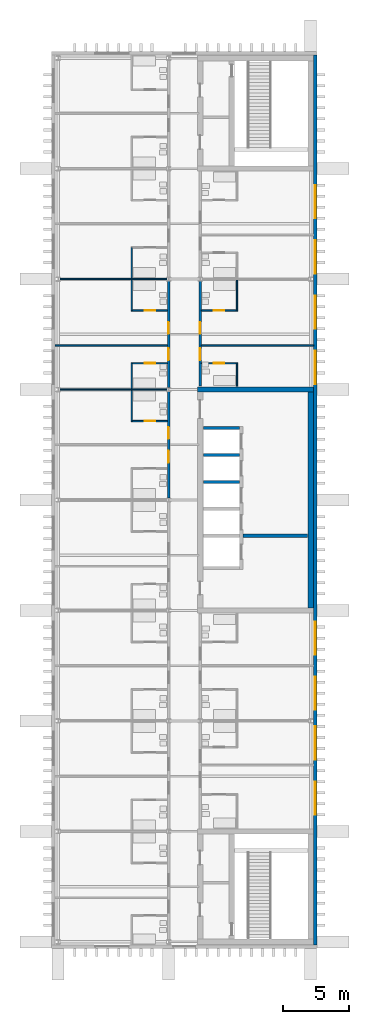
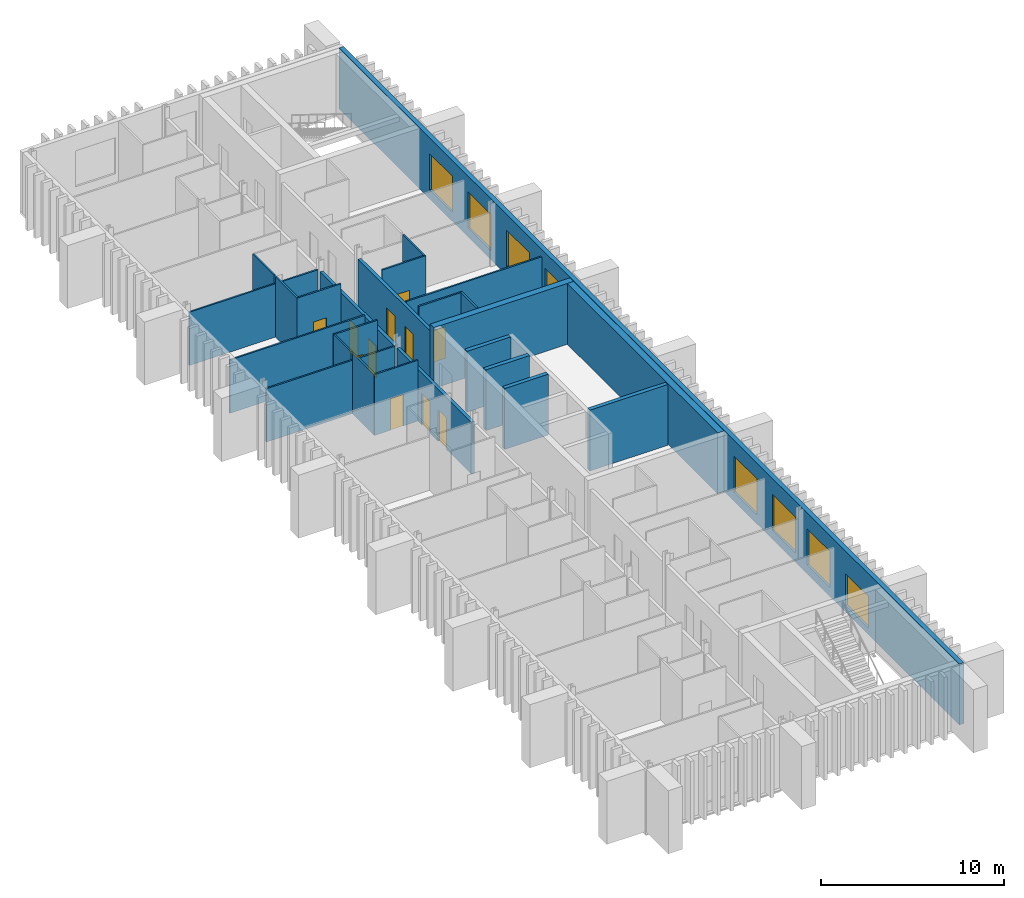
# One storey, part 7 of 11: 25 walls, 11 doors, 8 windows, 19 openings.
"""IFC4 building model written with IfcOpenShell, lengths in metres."""

from ifc_helpers import new_model, si_unit, direction, frame, frame_2d, origin, place, context, subcontext, project, spatial, rectangle, extrude, material, layer, layer_set, type_object, element, fill, save


model = new_model("IFC4")

# Units and contexts
model_context = context("Model", 3, precision=1e-05, world=origin(), true_north=direction((0.0, 1.0)))
body_context = subcontext(model_context, "Body", "Model", "MODEL_VIEW")
ifc_project = project(units=[si_unit("LENGTHUNIT", "METRE"), si_unit("AREAUNIT", "SQUARE_METRE"), si_unit("VOLUMEUNIT", "CUBIC_METRE"), si_unit("PLANEANGLEUNIT", "RADIAN"), si_unit("MASSUNIT", "GRAM", prefix="KILO")], contexts=[model_context])

# Site, building, storey
site_placement = place(None, origin())
site = spatial("IfcSite", under=ifc_project, at=site_placement, CompositionType="ELEMENT")
building_placement = place(site_placement, origin())
building = spatial("IfcBuilding", under=site, at=building_placement, Name="Cresset Court Congress Hotel", CompositionType="ELEMENT")
storey_placement = place(building_placement, frame((0.0, 0.0, 60.60009765625)))
storey = spatial("IfcBuildingStorey", under=building, at=storey_placement, Name="L14", CompositionType="ELEMENT", Elevation=60.60009765625)

# Wall, openings, doors
ifc_material_1 = material(Name="Gypsum board partition")
ifc_layer_1 = layer(ifc_material_1, 0.199951171875)
ifc_layer_set_1 = layer_set([ifc_layer_1], Name="Corridor wall 200")
wall_type_1 = type_object("IfcWallType", Name="Corridor wall 200", PredefinedType="PARTITIONING", material=ifc_layer_set_1)
wall_1_placement = place(storey_placement, frame((165.60009765625, 33.75, 0.0), z_axis=(0.0, 0.0, 1.0), x_axis=(0.0, 1.0, 0.0)))
wall_1 = element("IfcWall", 1, at=wall_1_placement, inside=storey, type_object=wall_type_1, Name="A.wl.L14.074", PredefinedType="PARTITIONING", context=body_context, shape_type="SweptSolid", body=[
    extrude(rectangle(XDim=8.10009765625, YDim=0.199951171875, at=frame_2d((4.050048828125, 0.0))), origin(), (0.0, 0.0, 1.0), 3.449951171875),
])
opening_1_placement = place(wall_1_placement, frame((2.699951171875, 0.0, 0.0)))
opening_1 = element("IfcOpeningElement", 2, at=opening_1_placement, cuts=wall_1, Name="Opening DA-14-18", PredefinedType="OPENING", context=body_context, shape_type="SweptSolid", body=[
    extrude(rectangle(XDim=0.89990234375, YDim=2.10009765625, at=frame_2d((0.449951171875, 1.050048828125))), frame((0.0, 0.10986328125, 0.0), z_axis=(0.0, -1.0, 0.0), x_axis=(1.0, 0.0, 0.0)), (0.0, 0.0, 1.0), 0.219970703125),
])
opening_2_placement = place(wall_1_placement, frame((4.5, 0.0, 0.0)))
opening_2 = element("IfcOpeningElement", 3, at=opening_2_placement, cuts=wall_1, Name="Opening DA-14-20", PredefinedType="OPENING", context=body_context, shape_type="SweptSolid", body=[
    extrude(rectangle(XDim=0.89990234375, YDim=2.10009765625, at=frame_2d((0.449951171875, 1.050048828125))), frame((0.0, 0.10986328125, 0.0), z_axis=(0.0, -1.0, 0.0), x_axis=(1.0, 0.0, 0.0)), (0.0, 0.0, 1.0), 0.219970703125),
])
ifc_material_2 = material(Name="timber", Category="wood")
door_type_1 = type_object("IfcDoorType", Name="Guest-room entry door 900x2100 FD30S", OperationType="SINGLE_SWING_LEFT", PredefinedType="DOOR", material=ifc_material_2)
door_1_placement = place(opening_1_placement, origin())
door_1 = element("IfcDoor", 4, at=door_1_placement, inside=storey, type_object=door_type_1, Name="Door DA-14-18", OperationType="SINGLE_SWING_RIGHT", OverallHeight=2.10009765625, OverallWidth=0.89990234375, PredefinedType="DOOR", context=body_context, shape_type="SweptSolid", body=[
    extrude(rectangle(XDim=0.89990234375, YDim=2.10009765625, at=frame_2d((0.449951171875, 1.050048828125))), frame((0.0, 0.02490234375, 0.0), z_axis=(0.0, -1.0, 0.0), x_axis=(1.0, 0.0, 0.0)), (0.0, 0.0, 1.0), 0.050048828125),
])
fill(opening_1, door_1)
door_2_placement = place(opening_2_placement, origin())
door_2 = element("IfcDoor", 5, at=door_2_placement, inside=storey, type_object=door_type_1, Name="Door DA-14-20", OperationType="SINGLE_SWING_LEFT", OverallHeight=2.10009765625, OverallWidth=0.89990234375, PredefinedType="DOOR", context=body_context, shape_type="SweptSolid", body=[
    extrude(rectangle(XDim=0.89990234375, YDim=2.10009765625, at=frame_2d((0.449951171875, 1.050048828125))), frame((0.0, 0.02490234375, 0.0), z_axis=(0.0, -1.0, 0.0), x_axis=(1.0, 0.0, 0.0)), (0.0, 0.0, 1.0), 0.050048828125),
])
fill(opening_2, door_2)

wall_2_placement = place(storey_placement, frame((165.60009765625, 42.14990234375, 0.0), z_axis=(0.0, 0.0, 1.0), x_axis=(0.0, 1.0, 0.0)))
wall_2 = element("IfcWall", 6, at=wall_2_placement, inside=storey, type_object=wall_type_1, Name="A.wl.L14.075", PredefinedType="PARTITIONING", context=body_context, shape_type="SweptSolid", body=[
    extrude(rectangle(XDim=8.10009765625, YDim=0.199951171875, at=frame_2d((4.050048828125, 0.0))), origin(), (0.0, 0.0, 1.0), 3.449951171875),
])
opening_3_placement = place(wall_2_placement, frame((2.080078125, 0.0, 0.0)))
opening_3 = element("IfcOpeningElement", 7, at=opening_3_placement, cuts=wall_2, Name="Opening DA-14-22", PredefinedType="OPENING", context=body_context, shape_type="SweptSolid", body=[
    extrude(rectangle(XDim=0.89990234375, YDim=2.10009765625, at=frame_2d((0.449951171875, 1.050048828125))), frame((0.0, 0.10986328125, 0.0), z_axis=(0.0, -1.0, 0.0), x_axis=(1.0, 0.0, 0.0)), (0.0, 0.0, 1.0), 0.219970703125),
])
opening_4_placement = place(wall_2_placement, frame((4.080078125, 0.0, 0.0)))
opening_4 = element("IfcOpeningElement", 8, at=opening_4_placement, cuts=wall_2, Name="Opening DA-14-24", PredefinedType="OPENING", context=body_context, shape_type="SweptSolid", body=[
    extrude(rectangle(XDim=0.89990234375, YDim=2.10009765625, at=frame_2d((0.449951171875, 1.050048828125))), frame((0.0, 0.10986328125, 0.0), z_axis=(0.0, -1.0, 0.0), x_axis=(1.0, 0.0, 0.0)), (0.0, 0.0, 1.0), 0.219970703125),
])
door_3_placement = place(opening_3_placement, origin())
door_3 = element("IfcDoor", 9, at=door_3_placement, inside=storey, type_object=door_type_1, Name="Door DA-14-22", OperationType="SINGLE_SWING_RIGHT", OverallHeight=2.10009765625, OverallWidth=0.89990234375, PredefinedType="DOOR", context=body_context, shape_type="SweptSolid", body=[
    extrude(rectangle(XDim=0.89990234375, YDim=2.10009765625, at=frame_2d((0.449951171875, 1.050048828125))), frame((0.0, 0.02490234375, 0.0), z_axis=(0.0, -1.0, 0.0), x_axis=(1.0, 0.0, 0.0)), (0.0, 0.0, 1.0), 0.050048828125),
])
fill(opening_3, door_3)
door_4_placement = place(opening_4_placement, origin())
door_4 = element("IfcDoor", 10, at=door_4_placement, inside=storey, type_object=door_type_1, Name="Door DA-14-24", OperationType="SINGLE_SWING_LEFT", OverallHeight=2.10009765625, OverallWidth=0.89990234375, PredefinedType="DOOR", context=body_context, shape_type="SweptSolid", body=[
    extrude(rectangle(XDim=0.89990234375, YDim=2.10009765625, at=frame_2d((0.449951171875, 1.050048828125))), frame((0.0, 0.02490234375, 0.0), z_axis=(0.0, -1.0, 0.0), x_axis=(1.0, 0.0, 0.0)), (0.0, 0.0, 1.0), 0.050048828125),
])
fill(opening_4, door_4)

wall_3_placement = place(storey_placement, frame((168.0, 42.25, 0.0), z_axis=(0.0, 0.0, 1.0), x_axis=(0.0, 1.0, 0.0)))
wall_3 = element("IfcWall", 11, at=wall_3_placement, inside=storey, type_object=wall_type_1, Name="A.wl.L14.080", PredefinedType="PARTITIONING", context=body_context, shape_type="SweptSolid", body=[
    extrude(rectangle(XDim=8.0, YDim=0.199951171875, at=frame_2d((4.0, 0.0))), origin(), (0.0, 0.0, 1.0), 3.449951171875),
])
opening_5_placement = place(wall_3_placement, frame((1.97998046875, 0.0, 0.0)))
opening_5 = element("IfcOpeningElement", 12, at=opening_5_placement, cuts=wall_3, Name="Opening DA-14-42", PredefinedType="OPENING", context=body_context, shape_type="SweptSolid", body=[
    extrude(rectangle(XDim=0.89990234375, YDim=2.10009765625, at=frame_2d((0.449951171875, 1.050048828125))), frame((0.0, 0.10986328125, 0.0), z_axis=(0.0, -1.0, 0.0), x_axis=(1.0, 0.0, 0.0)), (0.0, 0.0, 1.0), 0.219970703125),
])
opening_6_placement = place(wall_3_placement, frame((3.97998046875, 0.0, 0.0)))
opening_6 = element("IfcOpeningElement", 13, at=opening_6_placement, cuts=wall_3, Name="Opening DA-14-44", PredefinedType="OPENING", context=body_context, shape_type="SweptSolid", body=[
    extrude(rectangle(XDim=0.89990234375, YDim=2.10009765625, at=frame_2d((0.449951171875, 1.050048828125))), frame((0.0, 0.10986328125, 0.0), z_axis=(0.0, -1.0, 0.0), x_axis=(1.0, 0.0, 0.0)), (0.0, 0.0, 1.0), 0.219970703125),
])
door_5_placement = place(opening_5_placement, origin())
door_5 = element("IfcDoor", 14, at=door_5_placement, inside=storey, type_object=door_type_1, Name="Door DA-14-42", OperationType="SINGLE_SWING_RIGHT", OverallHeight=2.10009765625, OverallWidth=0.89990234375, PredefinedType="DOOR", context=body_context, shape_type="SweptSolid", body=[
    extrude(rectangle(XDim=0.89990234375, YDim=2.10009765625, at=frame_2d((0.449951171875, 1.050048828125))), frame((0.0, 0.02490234375, 0.0), z_axis=(0.0, -1.0, 0.0), x_axis=(1.0, 0.0, 0.0)), (0.0, 0.0, 1.0), 0.050048828125),
])
fill(opening_5, door_5)
door_6_placement = place(opening_6_placement, origin())
door_6 = element("IfcDoor", 15, at=door_6_placement, inside=storey, type_object=door_type_1, Name="Door DA-14-44", OperationType="SINGLE_SWING_LEFT", OverallHeight=2.10009765625, OverallWidth=0.89990234375, PredefinedType="DOOR", context=body_context, shape_type="SweptSolid", body=[
    extrude(rectangle(XDim=0.89990234375, YDim=2.10009765625, at=frame_2d((0.449951171875, 1.050048828125))), frame((0.0, 0.02490234375, 0.0), z_axis=(0.0, -1.0, 0.0), x_axis=(1.0, 0.0, 0.0)), (0.0, 0.0, 1.0), 0.050048828125),
])
fill(opening_6, door_6)

# Wall
ifc_material_3 = material(Name="Gypsum board partition")
ifc_layer_2 = layer(ifc_material_3, 0.10009765625)
ifc_layer_set_2 = layer_set([ifc_layer_2], Name="En-suite wall 100")
wall_type_2 = type_object("IfcWallType", Name="En-suite wall 100", PredefinedType="PARTITIONING", material=ifc_layer_set_2)
wall_4_placement = place(storey_placement, frame((162.800048828125, 39.60009765625, 0.0), z_axis=(0.0, 0.0, 1.0), x_axis=(0.0, 1.0, 0.0)))
element("IfcWall", 16, at=wall_4_placement, inside=storey, type_object=wall_type_2, Name="A.wl.L14.019", PredefinedType="PARTITIONING", context=body_context, shape_type="SweptSolid", body=[
    extrude(rectangle(XDim=2.324951171875, YDim=0.10009765625, at=frame_2d((1.16259765625, 0.0))), origin(), (0.0, 0.0, 1.0), 4.0498046875),
])

# Wall, opening, door
wall_5_placement = place(storey_placement, frame((162.75, 39.60009765625, 0.0), z_axis=(0.0, 0.0, 1.0), x_axis=(1.0, 0.0, 0.0)))
wall_5 = element("IfcWall", 17, at=wall_5_placement, inside=storey, type_object=wall_type_2, Name="A.wl.L14.020", PredefinedType="PARTITIONING", context=body_context, shape_type="SweptSolid", body=[
    extrude(rectangle(XDim=2.75, YDim=0.10009765625, at=frame_2d((1.375, 0.0))), origin(), (0.0, 0.0, 1.0), 4.0498046875),
])
opening_7_placement = place(wall_5_placement, frame((1.030029296875, 0.0, 0.0)))
opening_7 = element("IfcOpeningElement", 18, at=opening_7_placement, cuts=wall_5, Name="Opening DA-14-19", PredefinedType="OPENING", context=body_context, shape_type="SweptSolid", body=[
    extrude(rectangle(XDim=0.800048828125, YDim=2.10009765625, at=frame_2d((0.39990234375, 1.050048828125))), frame((0.0, 0.06005859375, 0.0), z_axis=(0.0, -1.0, 0.0), x_axis=(1.0, 0.0, 0.0)), (0.0, 0.0, 1.0), 0.1201171875),
])
ifc_material_4 = material(Name="timber", Category="wood")
door_type_2 = type_object("IfcDoorType", Name="En-suite door 800x2100", OperationType="SINGLE_SWING_LEFT", PredefinedType="DOOR", material=ifc_material_4)
door_7_placement = place(opening_7_placement, origin())
door_7 = element("IfcDoor", 19, at=door_7_placement, inside=storey, type_object=door_type_2, Name="Door DA-14-19", OperationType="SINGLE_SWING_LEFT", OverallHeight=2.10009765625, OverallWidth=0.800048828125, PredefinedType="DOOR", context=body_context, shape_type="SweptSolid", body=[
    extrude(rectangle(XDim=0.800048828125, YDim=2.10009765625, at=frame_2d((0.39990234375, 1.050048828125))), frame((0.0, 0.02490234375, 0.0), z_axis=(0.0, -1.0, 0.0), x_axis=(1.0, 0.0, 0.0)), (0.0, 0.0, 1.0), 0.050048828125),
])
fill(opening_7, door_7)

# Wall
wall_6_placement = place(storey_placement, frame((162.800048828125, 42.074951171875, 0.0), z_axis=(0.0, 0.0, 1.0), x_axis=(0.0, 1.0, 0.0)))
element("IfcWall", 20, at=wall_6_placement, inside=storey, type_object=wall_type_2, Name="A.wl.L14.021", PredefinedType="PARTITIONING", context=body_context, shape_type="SweptSolid", body=[
    extrude(rectangle(XDim=1.925048828125, YDim=0.10009765625, at=frame_2d((0.96240234375, 0.0))), origin(), (0.0, 0.0, 1.0), 4.0498046875),
])

# Wall, opening, door
wall_7_placement = place(storey_placement, frame((162.75, 44.0, 0.0), z_axis=(0.0, 0.0, 1.0), x_axis=(1.0, 0.0, 0.0)))
wall_7 = element("IfcWall", 21, at=wall_7_placement, inside=storey, type_object=wall_type_2, Name="A.wl.L14.022", PredefinedType="PARTITIONING", context=body_context, shape_type="SweptSolid", body=[
    extrude(rectangle(XDim=2.75, YDim=0.10009765625, at=frame_2d((1.375, 0.0))), origin(), (0.0, 0.0, 1.0), 4.0498046875),
])
opening_8_placement = place(wall_7_placement, frame((1.030029296875, 0.0, 0.0)))
opening_8 = element("IfcOpeningElement", 22, at=opening_8_placement, cuts=wall_7, Name="Opening DA-14-21", PredefinedType="OPENING", context=body_context, shape_type="SweptSolid", body=[
    extrude(rectangle(XDim=0.800048828125, YDim=2.10009765625, at=frame_2d((0.39990234375, 1.050048828125))), frame((0.0, 0.06005859375, 0.0), z_axis=(0.0, -1.0, 0.0), x_axis=(1.0, 0.0, 0.0)), (0.0, 0.0, 1.0), 0.1201171875),
])
door_8_placement = place(opening_8_placement, origin())
door_8 = element("IfcDoor", 23, at=door_8_placement, inside=storey, type_object=door_type_2, Name="Door DA-14-21", OperationType="SINGLE_SWING_RIGHT", OverallHeight=2.10009765625, OverallWidth=0.800048828125, PredefinedType="DOOR", context=body_context, shape_type="SweptSolid", body=[
    extrude(rectangle(XDim=0.800048828125, YDim=2.10009765625, at=frame_2d((0.39990234375, 1.050048828125))), frame((0.0, 0.02490234375, 0.0), z_axis=(0.0, -1.0, 0.0), x_axis=(1.0, 0.0, 0.0)), (0.0, 0.0, 1.0), 0.050048828125),
])
fill(opening_8, door_8)

# Wall
wall_8_placement = place(storey_placement, frame((162.800048828125, 48.0, 0.0), z_axis=(0.0, 0.0, 1.0), x_axis=(0.0, 1.0, 0.0)))
element("IfcWall", 24, at=wall_8_placement, inside=storey, type_object=wall_type_2, Name="A.wl.L14.023", PredefinedType="PARTITIONING", context=body_context, shape_type="SweptSolid", body=[
    extrude(rectangle(XDim=2.324951171875, YDim=0.10009765625, at=frame_2d((1.16259765625, 0.0))), origin(), (0.0, 0.0, 1.0), 4.0498046875),
])

# Wall, opening, door
wall_9_placement = place(storey_placement, frame((162.75, 48.0, 0.0), z_axis=(0.0, 0.0, 1.0), x_axis=(1.0, 0.0, 0.0)))
wall_9 = element("IfcWall", 25, at=wall_9_placement, inside=storey, type_object=wall_type_2, Name="A.wl.L14.024", PredefinedType="PARTITIONING", context=body_context, shape_type="SweptSolid", body=[
    extrude(rectangle(XDim=2.75, YDim=0.10009765625, at=frame_2d((1.375, 0.0))), origin(), (0.0, 0.0, 1.0), 4.0498046875),
])
opening_9_placement = place(wall_9_placement, frame((1.030029296875, 0.0, 0.0)))
opening_9 = element("IfcOpeningElement", 26, at=opening_9_placement, cuts=wall_9, Name="Opening DA-14-23", PredefinedType="OPENING", context=body_context, shape_type="SweptSolid", body=[
    extrude(rectangle(XDim=0.800048828125, YDim=2.10009765625, at=frame_2d((0.39990234375, 1.050048828125))), frame((0.0, 0.06005859375, 0.0), z_axis=(0.0, -1.0, 0.0), x_axis=(1.0, 0.0, 0.0)), (0.0, 0.0, 1.0), 0.1201171875),
])
door_9_placement = place(opening_9_placement, origin())
door_9 = element("IfcDoor", 27, at=door_9_placement, inside=storey, type_object=door_type_2, Name="Door DA-14-23", OperationType="SINGLE_SWING_LEFT", OverallHeight=2.10009765625, OverallWidth=0.800048828125, PredefinedType="DOOR", context=body_context, shape_type="SweptSolid", body=[
    extrude(rectangle(XDim=0.800048828125, YDim=2.10009765625, at=frame_2d((0.39990234375, 1.050048828125))), frame((0.0, 0.02490234375, 0.0), z_axis=(0.0, -1.0, 0.0), x_axis=(1.0, 0.0, 0.0)), (0.0, 0.0, 1.0), 0.050048828125),
])
fill(opening_9, door_9)

# Walls
wall_10_placement = place(storey_placement, frame((162.800048828125, 50.47509765625, 0.0), z_axis=(0.0, 0.0, 1.0), x_axis=(0.0, 1.0, 0.0)))
element("IfcWall", 28, at=wall_10_placement, inside=storey, type_object=wall_type_2, Name="A.wl.L14.025", PredefinedType="PARTITIONING", context=body_context, shape_type="SweptSolid", body=[
    extrude(rectangle(XDim=2.324951171875, YDim=0.10009765625, at=frame_2d((1.16259765625, 0.0))), origin(), (0.0, 0.0, 1.0), 4.0498046875),
])
wall_11_placement = place(storey_placement, frame((170.800048828125, 42.25, 0.0), z_axis=(0.0, 0.0, 1.0), x_axis=(0.0, 1.0, 0.0)))
element("IfcWall", 29, at=wall_11_placement, inside=storey, type_object=wall_type_2, Name="A.wl.L14.041", PredefinedType="PARTITIONING", context=body_context, shape_type="SweptSolid", body=[
    extrude(rectangle(XDim=1.75, YDim=0.10009765625, at=frame_2d((0.875, 0.0))), origin(), (0.0, 0.0, 1.0), 4.0498046875),
])

# Wall, opening, door
wall_12_placement = place(storey_placement, frame((170.85009765625, 44.0, 0.0), z_axis=(0.0, 0.0, 1.0), x_axis=(-1.0, 0.0, 0.0)))
wall_12 = element("IfcWall", 30, at=wall_12_placement, inside=storey, type_object=wall_type_2, Name="A.wl.L14.042", PredefinedType="PARTITIONING", context=body_context, shape_type="SweptSolid", body=[
    extrude(rectangle(XDim=2.75, YDim=0.10009765625, at=frame_2d((1.375, 0.0))), origin(), (0.0, 0.0, 1.0), 4.0498046875),
])
opening_10_placement = place(wall_12_placement, frame((1.030029296875, 0.0, 0.0)))
opening_10 = element("IfcOpeningElement", 31, at=opening_10_placement, cuts=wall_12, Name="Opening DA-14-41", PredefinedType="OPENING", context=body_context, shape_type="SweptSolid", body=[
    extrude(rectangle(XDim=0.800048828125, YDim=2.10009765625, at=frame_2d((0.39990234375, 1.050048828125))), frame((0.0, 0.06005859375, 0.0), z_axis=(0.0, -1.0, 0.0), x_axis=(1.0, 0.0, 0.0)), (0.0, 0.0, 1.0), 0.1201171875),
])
door_10_placement = place(opening_10_placement, origin())
door_10 = element("IfcDoor", 32, at=door_10_placement, inside=storey, type_object=door_type_2, Name="Door DA-14-41", OperationType="SINGLE_SWING_RIGHT", OverallHeight=2.10009765625, OverallWidth=0.800048828125, PredefinedType="DOOR", context=body_context, shape_type="SweptSolid", body=[
    extrude(rectangle(XDim=0.800048828125, YDim=2.10009765625, at=frame_2d((0.39990234375, 1.050048828125))), frame((0.0, 0.02490234375, 0.0), z_axis=(0.0, -1.0, 0.0), x_axis=(1.0, 0.0, 0.0)), (0.0, 0.0, 1.0), 0.050048828125),
])
fill(opening_10, door_10)

# Wall
wall_13_placement = place(storey_placement, frame((170.800048828125, 48.0, 0.0), z_axis=(0.0, 0.0, 1.0), x_axis=(0.0, 1.0, 0.0)))
element("IfcWall", 33, at=wall_13_placement, inside=storey, type_object=wall_type_2, Name="A.wl.L14.043", PredefinedType="PARTITIONING", context=body_context, shape_type="SweptSolid", body=[
    extrude(rectangle(XDim=2.324951171875, YDim=0.10009765625, at=frame_2d((1.16259765625, 0.0))), origin(), (0.0, 0.0, 1.0), 4.0498046875),
])

# Wall, opening, door
wall_14_placement = place(storey_placement, frame((170.85009765625, 48.0, 0.0), z_axis=(0.0, 0.0, 1.0), x_axis=(-1.0, 0.0, 0.0)))
wall_14 = element("IfcWall", 34, at=wall_14_placement, inside=storey, type_object=wall_type_2, Name="A.wl.L14.044", PredefinedType="PARTITIONING", context=body_context, shape_type="SweptSolid", body=[
    extrude(rectangle(XDim=2.75, YDim=0.10009765625, at=frame_2d((1.375, 0.0))), origin(), (0.0, 0.0, 1.0), 4.0498046875),
])
opening_11_placement = place(wall_14_placement, frame((1.030029296875, 0.0, 0.0)))
opening_11 = element("IfcOpeningElement", 35, at=opening_11_placement, cuts=wall_14, Name="Opening DA-14-43", PredefinedType="OPENING", context=body_context, shape_type="SweptSolid", body=[
    extrude(rectangle(XDim=0.800048828125, YDim=2.10009765625, at=frame_2d((0.39990234375, 1.050048828125))), frame((0.0, 0.06005859375, 0.0), z_axis=(0.0, -1.0, 0.0), x_axis=(1.0, 0.0, 0.0)), (0.0, 0.0, 1.0), 0.1201171875),
])
door_11_placement = place(opening_11_placement, origin())
door_11 = element("IfcDoor", 36, at=door_11_placement, inside=storey, type_object=door_type_2, Name="Door DA-14-43", OperationType="SINGLE_SWING_LEFT", OverallHeight=2.10009765625, OverallWidth=0.800048828125, PredefinedType="DOOR", context=body_context, shape_type="SweptSolid", body=[
    extrude(rectangle(XDim=0.800048828125, YDim=2.10009765625, at=frame_2d((0.39990234375, 1.050048828125))), frame((0.0, 0.02490234375, 0.0), z_axis=(0.0, -1.0, 0.0), x_axis=(1.0, 0.0, 0.0)), (0.0, 0.0, 1.0), 0.050048828125),
])
fill(opening_11, door_11)

# Wall, openings, windows
ifc_material_5 = material(Name="Precast concrete C50", Category="concrete")
ifc_layer_3 = layer(ifc_material_5, 0.280029296875)
ifc_layer_set_3 = layer_set([ifc_layer_3], Name="External wall 280")
wall_type_3 = type_object("IfcWallType", Name="External wall 280", PredefinedType="SOLIDWALL", material=ifc_layer_set_3)
wall_15_placement = place(storey_placement, frame((176.760009765625, -0.219970703125, 0.0), z_axis=(0.0, 0.0, 1.0), x_axis=(0.0, 1.0, 0.0)))
wall_15 = element("IfcWall", 37, at=wall_15_placement, inside=storey, type_object=wall_type_3, Name="A.ew.L14.E.1", PredefinedType="SOLIDWALL", context=body_context, shape_type="SweptSolid", body=[
    extrude(rectangle(XDim=67.639892578125, YDim=0.280029296875, at=frame_2d((33.81982421875, 0.0))), origin(), (0.0, 0.0, 1.0), 4.0498046875),
])
opening_12_placement = place(wall_15_placement, frame((9.8798828125, 0.0, 0.449951171875)))
opening_12 = element("IfcOpeningElement", 38, at=opening_12_placement, cuts=wall_15, Name="Opening NA-14-17", PredefinedType="OPENING", context=body_context, shape_type="SweptSolid", body=[
    extrude(rectangle(XDim=2.52001953125, YDim=2.10009765625, at=frame_2d((1.260009765625, 1.050048828125))), frame((0.0, 0.14990234375, 0.0), z_axis=(0.0, -1.0, 0.0), x_axis=(1.0, 0.0, 0.0)), (0.0, 0.0, 1.0), 0.300048828125),
])
opening_13_placement = place(wall_15_placement, frame((14.080078125, 0.0, 0.60009765625)))
opening_13 = element("IfcOpeningElement", 39, at=opening_13_placement, cuts=wall_15, Name="Opening NA-14-18", PredefinedType="OPENING", context=body_context, shape_type="SweptSolid", body=[
    extrude(rectangle(XDim=2.52001953125, YDim=2.39990234375, at=frame_2d((1.260009765625, 1.199951171875))), frame((0.0, 0.14990234375, 0.0), z_axis=(0.0, -1.0, 0.0), x_axis=(1.0, 0.0, 0.0)), (0.0, 0.0, 1.0), 0.300048828125),
])
opening_14_placement = place(wall_15_placement, frame((17.860107421875, 0.0, 0.60009765625)))
opening_14 = element("IfcOpeningElement", 40, at=opening_14_placement, cuts=wall_15, Name="Opening NA-14-19", PredefinedType="OPENING", context=body_context, shape_type="SweptSolid", body=[
    extrude(rectangle(XDim=2.52001953125, YDim=2.39990234375, at=frame_2d((1.260009765625, 1.199951171875))), frame((0.0, 0.14990234375, 0.0), z_axis=(0.0, -1.0, 0.0), x_axis=(1.0, 0.0, 0.0)), (0.0, 0.0, 1.0), 0.300048828125),
])
opening_15_placement = place(wall_15_placement, frame((22.06005859375, 0.0, 0.60009765625)))
opening_15 = element("IfcOpeningElement", 41, at=opening_15_placement, cuts=wall_15, Name="Opening NA-14-20", PredefinedType="OPENING", context=body_context, shape_type="SweptSolid", body=[
    extrude(rectangle(XDim=2.52001953125, YDim=2.39990234375, at=frame_2d((1.260009765625, 1.199951171875))), frame((0.0, 0.14990234375, 0.0), z_axis=(0.0, -1.0, 0.0), x_axis=(1.0, 0.0, 0.0)), (0.0, 0.0, 1.0), 0.300048828125),
])
opening_16_placement = place(wall_15_placement, frame((42.639892578125, 0.0, 0.60009765625)))
opening_16 = element("IfcOpeningElement", 42, at=opening_16_placement, cuts=wall_15, Name="Opening NA-14-21", PredefinedType="OPENING", context=body_context, shape_type="SweptSolid", body=[
    extrude(rectangle(XDim=2.52001953125, YDim=2.39990234375, at=frame_2d((1.260009765625, 1.199951171875))), frame((0.0, 0.14990234375, 0.0), z_axis=(0.0, -1.0, 0.0), x_axis=(1.0, 0.0, 0.0)), (0.0, 0.0, 1.0), 0.300048828125),
])
opening_17_placement = place(wall_15_placement, frame((46.840087890625, 0.0, 0.60009765625)))
opening_17 = element("IfcOpeningElement", 43, at=opening_17_placement, cuts=wall_15, Name="Opening NA-14-22", PredefinedType="OPENING", context=body_context, shape_type="SweptSolid", body=[
    extrude(rectangle(XDim=2.52001953125, YDim=2.39990234375, at=frame_2d((1.260009765625, 1.199951171875))), frame((0.0, 0.14990234375, 0.0), z_axis=(0.0, -1.0, 0.0), x_axis=(1.0, 0.0, 0.0)), (0.0, 0.0, 1.0), 0.300048828125),
])
opening_18_placement = place(wall_15_placement, frame((51.0400390625, 0.0, 0.60009765625)))
opening_18 = element("IfcOpeningElement", 44, at=opening_18_placement, cuts=wall_15, Name="Opening NA-14-23", PredefinedType="OPENING", context=body_context, shape_type="SweptSolid", body=[
    extrude(rectangle(XDim=2.52001953125, YDim=2.39990234375, at=frame_2d((1.260009765625, 1.199951171875))), frame((0.0, 0.14990234375, 0.0), z_axis=(0.0, -1.0, 0.0), x_axis=(1.0, 0.0, 0.0)), (0.0, 0.0, 1.0), 0.300048828125),
])
opening_19_placement = place(wall_15_placement, frame((55.239990234375, 0.0, 0.60009765625)))
opening_19 = element("IfcOpeningElement", 45, at=opening_19_placement, cuts=wall_15, Name="Opening NA-14-24", PredefinedType="OPENING", context=body_context, shape_type="SweptSolid", body=[
    extrude(rectangle(XDim=2.52001953125, YDim=2.39990234375, at=frame_2d((1.260009765625, 1.199951171875))), frame((0.0, 0.14990234375, 0.0), z_axis=(0.0, -1.0, 0.0), x_axis=(1.0, 0.0, 0.0)), (0.0, 0.0, 1.0), 0.300048828125),
])
ifc_material_6 = material(Name="Aluminium and glass", Category="aluminium")
window_type_1 = type_object("IfcWindowType", Name="Window 2520x2100", PartitioningType="SINGLE_PANEL", PredefinedType="WINDOW", material=ifc_material_6)
window_1_placement = place(opening_12_placement, origin())
window_1 = element("IfcWindow", 46, at=window_1_placement, inside=storey, type_object=window_type_1, Name="Window NA-14-17", OverallHeight=2.10009765625, OverallWidth=2.52001953125, PartitioningType="SINGLE_PANEL", PredefinedType="WINDOW", context=body_context, shape_type="SweptSolid", body=[
    extrude(rectangle(XDim=2.52001953125, YDim=2.10009765625, at=frame_2d((1.260009765625, 1.050048828125))), frame((0.0, 0.030029296875, 0.0), z_axis=(0.0, -1.0, 0.0), x_axis=(1.0, 0.0, 0.0)), (0.0, 0.0, 1.0), 0.06005859375),
])
fill(opening_12, window_1)
ifc_material_7 = material(Name="Aluminium and glass", Category="aluminium")
window_type_2 = type_object("IfcWindowType", Name="Window 2520x2400", PartitioningType="SINGLE_PANEL", PredefinedType="WINDOW", material=ifc_material_7)
window_2_placement = place(opening_13_placement, origin())
window_2 = element("IfcWindow", 47, at=window_2_placement, inside=storey, type_object=window_type_2, Name="Window NA-14-18", OverallHeight=2.39990234375, OverallWidth=2.52001953125, PartitioningType="SINGLE_PANEL", PredefinedType="WINDOW", context=body_context, shape_type="SweptSolid", body=[
    extrude(rectangle(XDim=2.52001953125, YDim=2.39990234375, at=frame_2d((1.260009765625, 1.199951171875))), frame((0.0, 0.030029296875, 0.0), z_axis=(0.0, -1.0, 0.0), x_axis=(1.0, 0.0, 0.0)), (0.0, 0.0, 1.0), 0.06005859375),
])
fill(opening_13, window_2)
window_3_placement = place(opening_14_placement, origin())
window_3 = element("IfcWindow", 48, at=window_3_placement, inside=storey, type_object=window_type_2, Name="Window NA-14-19", OverallHeight=2.39990234375, OverallWidth=2.52001953125, PartitioningType="SINGLE_PANEL", PredefinedType="WINDOW", context=body_context, shape_type="SweptSolid", body=[
    extrude(rectangle(XDim=2.52001953125, YDim=2.39990234375, at=frame_2d((1.260009765625, 1.199951171875))), frame((0.0, 0.030029296875, 0.0), z_axis=(0.0, -1.0, 0.0), x_axis=(1.0, 0.0, 0.0)), (0.0, 0.0, 1.0), 0.06005859375),
])
fill(opening_14, window_3)
window_4_placement = place(opening_15_placement, origin())
window_4 = element("IfcWindow", 49, at=window_4_placement, inside=storey, type_object=window_type_2, Name="Window NA-14-20", OverallHeight=2.39990234375, OverallWidth=2.52001953125, PartitioningType="SINGLE_PANEL", PredefinedType="WINDOW", context=body_context, shape_type="SweptSolid", body=[
    extrude(rectangle(XDim=2.52001953125, YDim=2.39990234375, at=frame_2d((1.260009765625, 1.199951171875))), frame((0.0, 0.030029296875, 0.0), z_axis=(0.0, -1.0, 0.0), x_axis=(1.0, 0.0, 0.0)), (0.0, 0.0, 1.0), 0.06005859375),
])
fill(opening_15, window_4)
window_5_placement = place(opening_16_placement, origin())
window_5 = element("IfcWindow", 50, at=window_5_placement, inside=storey, type_object=window_type_2, Name="Window NA-14-21", OverallHeight=2.39990234375, OverallWidth=2.52001953125, PartitioningType="SINGLE_PANEL", PredefinedType="WINDOW", context=body_context, shape_type="SweptSolid", body=[
    extrude(rectangle(XDim=2.52001953125, YDim=2.39990234375, at=frame_2d((1.260009765625, 1.199951171875))), frame((0.0, 0.030029296875, 0.0), z_axis=(0.0, -1.0, 0.0), x_axis=(1.0, 0.0, 0.0)), (0.0, 0.0, 1.0), 0.06005859375),
])
fill(opening_16, window_5)
window_6_placement = place(opening_17_placement, origin())
window_6 = element("IfcWindow", 51, at=window_6_placement, inside=storey, type_object=window_type_2, Name="Window NA-14-22", OverallHeight=2.39990234375, OverallWidth=2.52001953125, PartitioningType="SINGLE_PANEL", PredefinedType="WINDOW", context=body_context, shape_type="SweptSolid", body=[
    extrude(rectangle(XDim=2.52001953125, YDim=2.39990234375, at=frame_2d((1.260009765625, 1.199951171875))), frame((0.0, 0.030029296875, 0.0), z_axis=(0.0, -1.0, 0.0), x_axis=(1.0, 0.0, 0.0)), (0.0, 0.0, 1.0), 0.06005859375),
])
fill(opening_17, window_6)
window_7_placement = place(opening_18_placement, origin())
window_7 = element("IfcWindow", 52, at=window_7_placement, inside=storey, type_object=window_type_2, Name="Window NA-14-23", OverallHeight=2.39990234375, OverallWidth=2.52001953125, PartitioningType="SINGLE_PANEL", PredefinedType="WINDOW", context=body_context, shape_type="SweptSolid", body=[
    extrude(rectangle(XDim=2.52001953125, YDim=2.39990234375, at=frame_2d((1.260009765625, 1.199951171875))), frame((0.0, 0.030029296875, 0.0), z_axis=(0.0, -1.0, 0.0), x_axis=(1.0, 0.0, 0.0)), (0.0, 0.0, 1.0), 0.06005859375),
])
fill(opening_18, window_7)
window_8_placement = place(opening_19_placement, origin())
window_8 = element("IfcWindow", 53, at=window_8_placement, inside=storey, type_object=window_type_2, Name="Window NA-14-24", OverallHeight=2.39990234375, OverallWidth=2.52001953125, PartitioningType="SINGLE_PANEL", PredefinedType="WINDOW", context=body_context, shape_type="SweptSolid", body=[
    extrude(rectangle(XDim=2.52001953125, YDim=2.39990234375, at=frame_2d((1.260009765625, 1.199951171875))), frame((0.0, 0.030029296875, 0.0), z_axis=(0.0, -1.0, 0.0), x_axis=(1.0, 0.0, 0.0)), (0.0, 0.0, 1.0), 0.06005859375),
])
fill(opening_19, window_8)

# Walls
ifc_material_8 = material(Name="Gypsum board partition")
ifc_layer_4 = layer(ifc_material_8, 0.10009765625)
ifc_layer_set_4 = layer_set([ifc_layer_4], Name="Guest-room partition 100")
wall_type_4 = type_object("IfcWallType", Name="Guest-room partition 100", PredefinedType="PARTITIONING", material=ifc_layer_set_4)
for number, where, z_axis, x_axis, name in (
    (54, (157.35009765625, 42.0, 0.0), (0.0, 0.0, 1.0), (1.0, 0.0, 0.0), "A.wl.L14.053"),
    (55, (157.35009765625, 50.39990234375, 0.0), (0.0, 0.0, 1.0), (1.0, 0.0, 0.0), "A.wl.L14.054"),
):
    element("IfcWall", number, at=place(storey_placement, frame(where, z_axis=z_axis, x_axis=x_axis)), inside=storey, type_object=wall_type_4, Name=name, PredefinedType="PARTITIONING", context=body_context, shape_type="SweptSolid", body=[
        extrude(rectangle(XDim=8.099853515625, YDim=0.10009765625, at=frame_2d((4.0498046875, 0.0))), origin(), (0.0, 0.0, 1.0), 3.5498046875),
    ])
for number, where, z_axis, x_axis, name in (
    (56, (156.97998046875, 45.360107421875, 0.0), (0.0, 0.0, 1.0), (1.0, 0.0, 0.0), "A.wl.L14.063"),
    (57, (168.10009765625, 45.360107421875, 0.0), (0.0, 0.0, 1.0), (1.0, 0.0, 0.0), "A.wl.L14.068"),
):
    element("IfcWall", number, at=place(storey_placement, frame(where, z_axis=z_axis, x_axis=x_axis)), inside=storey, type_object=wall_type_4, Name=name, PredefinedType="PARTITIONING", context=body_context, shape_type="SweptSolid", body=[
        extrude(rectangle(XDim=8.52001953125, YDim=0.10009765625, at=frame_2d((4.260009765625, 0.0))), origin(), (0.0, 0.0, 1.0), 3.5498046875),
    ])
ifc_material_9 = material(Name="Concrete C50", Category="concrete")
ifc_layer_5 = layer(ifc_material_9, 0.39990234375)
ifc_layer_set_5 = layer_set([ifc_layer_5], Name="Lift core wall 400")
wall_type_5 = type_object("IfcWallType", Name="Lift core wall 400", PredefinedType="SOLIDWALL", material=ifc_layer_set_5)
wall_16_placement = place(storey_placement, frame((167.800048828125, 42.0, 0.0), z_axis=(0.0, 0.0, 1.0), x_axis=(1.0, 0.0, 0.0)))
element("IfcWall", 58, at=wall_16_placement, inside=storey, type_object=wall_type_5, Name="A.cw.LC-A.L14.N", PredefinedType="SOLIDWALL", context=body_context, shape_type="SweptSolid", body=[
    extrude(rectangle(XDim=8.800048828125, YDim=0.39990234375, at=frame_2d((4.39990234375, 0.0))), origin(), (0.0, 0.0, 1.0), 4.0498046875),
])
wall_17_placement = place(storey_placement, frame((176.39990234375, 25.39990234375, 0.0), z_axis=(0.0, 0.0, 1.0), x_axis=(0.0, 1.0, 0.0)))
element("IfcWall", 59, at=wall_17_placement, inside=storey, type_object=wall_type_5, Name="A.cw.LC-A.L14.E", PredefinedType="SOLIDWALL", context=body_context, shape_type="SweptSolid", body=[
    extrude(rectangle(XDim=16.400146484375, YDim=0.39990234375, at=frame_2d((8.2001953125, 0.0))), origin(), (0.0, 0.0, 1.0), 4.0498046875),
])
ifc_material_10 = material(Name="Concrete C50", Category="concrete")
ifc_layer_6 = layer(ifc_material_10, 0.25)
ifc_layer_set_6 = layer_set([ifc_layer_6], Name="Lift shaft wall 250")
wall_type_6 = type_object("IfcWallType", Name="Lift shaft wall 250", PredefinedType="SOLIDWALL", material=ifc_layer_set_6)
for number, where, z_axis, x_axis, name in (
    (60, (168.25, 34.97509765625, 0.0), (0.0, 0.0, 1.0), (1.0, 0.0, 0.0), "A.wl.L14.090"),
    (61, (168.25, 37.02490234375, 0.0), (0.0, 0.0, 1.0), (1.0, 0.0, 0.0), "A.wl.L14.091"),
    (62, (168.25, 39.074951171875, 0.0), (0.0, 0.0, 1.0), (1.0, 0.0, 0.0), "A.wl.L14.092"),
):
    element("IfcWall", number, at=place(storey_placement, frame(where, z_axis=z_axis, x_axis=x_axis)), inside=storey, type_object=wall_type_6, Name=name, PredefinedType="SOLIDWALL", context=body_context, shape_type="SweptSolid", body=[
        extrude(rectangle(XDim=2.75, YDim=0.25, at=frame_2d((1.375, 0.0))), origin(), (0.0, 0.0, 1.0), 4.0498046875),
    ])
wall_18_placement = place(storey_placement, frame((171.25, 30.875, 0.0), z_axis=(0.0, 0.0, 1.0), x_axis=(1.0, 0.0, 0.0)))
element("IfcWall", 63, at=wall_18_placement, inside=storey, type_object=wall_type_6, Name="A.wl.L14.093", PredefinedType="SOLIDWALL", context=body_context, shape_type="SweptSolid", body=[
    extrude(rectangle(XDim=4.89990234375, YDim=0.25, at=frame_2d((2.449951171875, 0.0))), origin(), (0.0, 0.0, 1.0), 4.0498046875),
])

save(model, "model.ifc")
